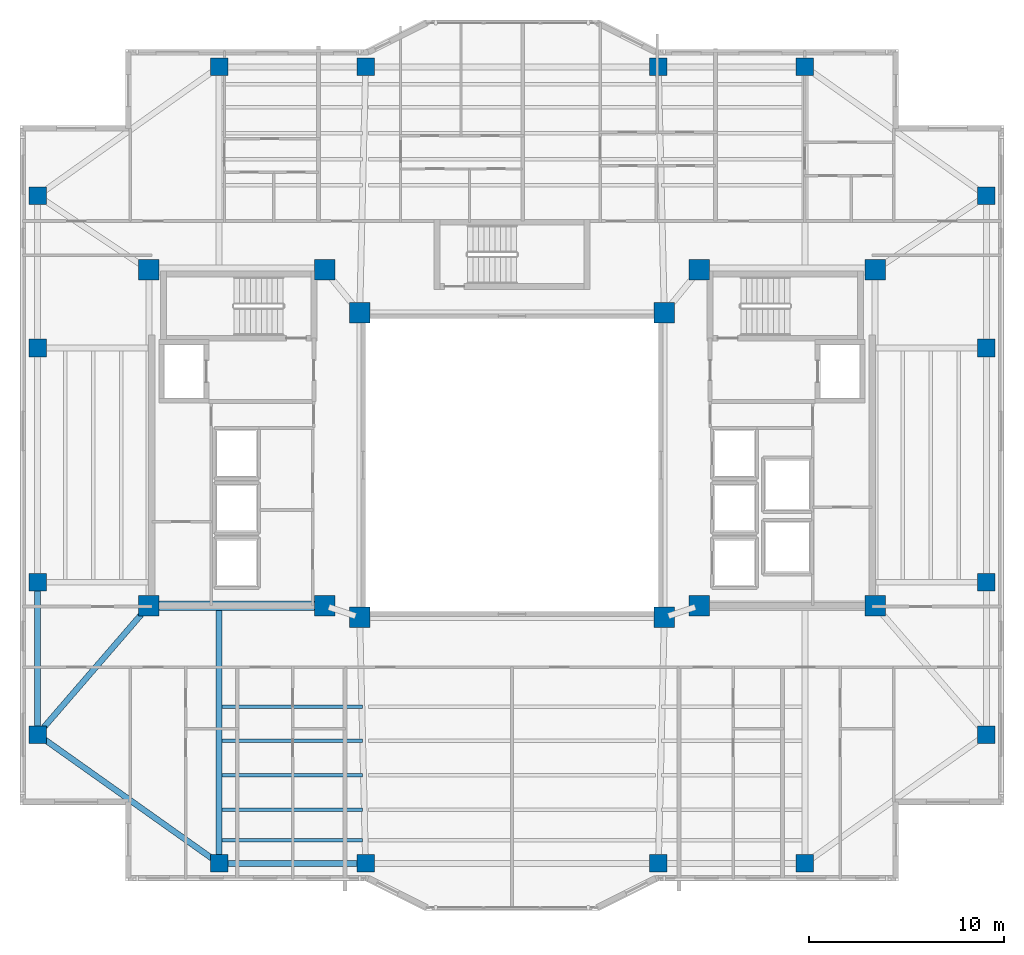
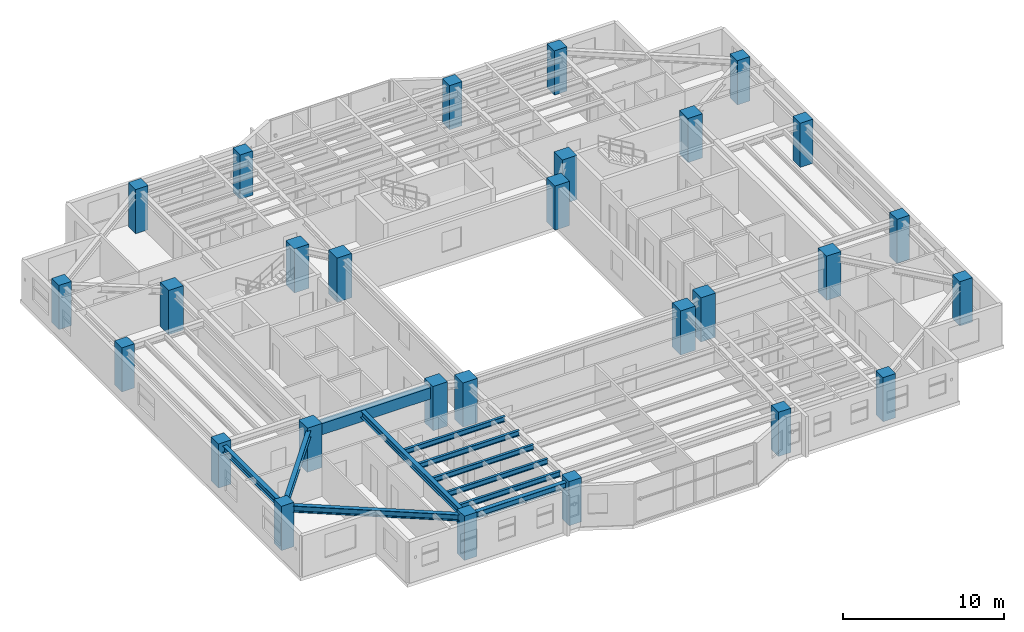
# One storey, part 1 of 16: 28 columns, 11 beams.
"""IFC4 building model written with IfcOpenShell, lengths in metres."""

from ifc_helpers import new_model, si_unit, direction, frame, origin, origin_2d, place, context, subcontext, project, spatial, rectangle, i_section, extrude, material, material_profile, profile_set, type_object, element, save


model = new_model("IFC4")

# Units and contexts
model_context = context("Model", 3, precision=1e-05, world=origin(), true_north=direction((0.0, 1.0)))
body_context = subcontext(model_context, "Body", "Model", "MODEL_VIEW")
ifc_project = project(units=[si_unit("LENGTHUNIT", "METRE"), si_unit("AREAUNIT", "SQUARE_METRE"), si_unit("VOLUMEUNIT", "CUBIC_METRE"), si_unit("PLANEANGLEUNIT", "RADIAN"), si_unit("MASSUNIT", "GRAM", prefix="KILO")], contexts=[model_context])

# Site, building, storey
site_placement = place(None, origin())
site = spatial("IfcSite", under=ifc_project, at=site_placement, CompositionType="ELEMENT")
building_placement = place(site_placement, origin())
building = spatial("IfcBuilding", under=site, at=building_placement, Name="Tarnavaz Court Tower", CompositionType="ELEMENT")
storey_placement = place(building_placement, frame((0.0, 0.0, 152.699951171875)))
storey = spatial("IfcBuildingStorey", under=building, at=storey_placement, Name="L41", CompositionType="ELEMENT", Elevation=152.699951171875)

# Columns
ifc_material_1 = material(Name="Concrete C60/75", Category="concrete")
ifc_material_profile_1 = material_profile(ifc_material_1, rectangle(XDim=1.050048828125, YDim=1.050048828125, at=origin_2d()), Name="RC 1050X1050")
ifc_profile_set_1 = profile_set([ifc_material_profile_1], Name="Concrete C60/75")
column_type_1 = type_object("IfcColumnType", Name="CL-RC1050", PredefinedType="COLUMN", material=ifc_profile_set_1)
for number, where, z_axis, x_axis, name in (
    (1, (-7.800048828125, -7.800048828125, 0.0), (0.0, 0.0, 1.0), (1.0, 0.0, 0.0), "L41 Column IW-SW"),
    (2, (7.800048828125, -7.800048828125, 0.0), (0.0, 0.0, 1.0), (1.0, 0.0, 0.0), "L41 Column IW-SE"),
    (3, (-7.800048828125, 7.800048828125, 0.0), (0.0, 0.0, 1.0), (1.0, 0.0, 0.0), "L41 Column IW-NW"),
    (4, (7.800048828125, 7.800048828125, 0.0), (0.0, 0.0, 1.0), (1.0, 0.0, 0.0), "L41 Column IW-NE"),
    (5, (-9.60009765625, -7.199951171875, 0.0), (0.0, 0.0, 1.0), (1.0, 0.0, 0.0), "L41 Column CW-SI"),
    (6, (-9.60009765625, 10.0, 0.0), (0.0, 0.0, 1.0), (1.0, 0.0, 0.0), "L41 Column CW-NI"),
    (7, (9.60009765625, -7.199951171875, 0.0), (0.0, 0.0, 1.0), (1.0, 0.0, 0.0), "L41 Column CE-SI"),
    (8, (9.60009765625, 10.0, 0.0), (0.0, 0.0, 1.0), (1.0, 0.0, 0.0), "L41 Column CE-NI"),
    (9, (-18.60009765625, -7.199951171875, 0.0), (0.0, 0.0, 1.0), (1.0, 0.0, 0.0), "L41 Column CW-SO"),
    (10, (-18.60009765625, 10.0, 0.0), (0.0, 0.0, 1.0), (1.0, 0.0, 0.0), "L41 Column CW-NO"),
    (11, (18.60009765625, -7.199951171875, 0.0), (0.0, 0.0, 1.0), (1.0, 0.0, 0.0), "L41 Column CE-SO"),
    (12, (18.60009765625, 10.0, 0.0), (0.0, 0.0, 1.0), (1.0, 0.0, 0.0), "L41 Column CE-NO"),
):
    element("IfcColumn", number, at=place(storey_placement, frame(where, z_axis=z_axis, x_axis=x_axis)), inside=storey, type_object=column_type_1, Name=name, PredefinedType="COLUMN", context=body_context, shape_type="SweptSolid", body=[
        extrude(rectangle(XDim=1.050048828125, YDim=1.050048828125, at=origin_2d()), origin(), (0.0, 0.0, 1.0), 3.35009765625),
    ])
ifc_material_2 = material(Name="Concrete C50/60", Category="concrete")
ifc_material_profile_2 = material_profile(ifc_material_2, rectangle(XDim=0.89990234375, YDim=0.89990234375, at=origin_2d()), Name="RC 900X900")
ifc_profile_set_2 = profile_set([ifc_material_profile_2], Name="Concrete C50/60")
column_type_2 = type_object("IfcColumnType", Name="CL-RC900", PredefinedType="COLUMN", material=ifc_profile_set_2)
for number, where, z_axis, x_axis, name in (
    (13, (-15.0, 20.39990234375, 0.0), (0.0, 0.0, 1.0), (1.0, 0.0, 0.0), "L41 Column PN-1"),
    (14, (-7.5, 20.39990234375, 0.0), (0.0, 0.0, 1.0), (1.0, 0.0, 0.0), "L41 Column PN-2"),
    (15, (7.5, 20.39990234375, 0.0), (0.0, 0.0, 1.0), (1.0, 0.0, 0.0), "L41 Column PN-3"),
    (16, (15.0, 20.39990234375, 0.0), (0.0, 0.0, 1.0), (1.0, 0.0, 0.0), "L41 Column PN-4"),
    (17, (-15.0, -20.39990234375, 0.0), (0.0, 0.0, 1.0), (1.0, 0.0, 0.0), "L41 Column PS-1"),
    (18, (-7.5, -20.39990234375, 0.0), (0.0, 0.0, 1.0), (1.0, 0.0, 0.0), "L41 Column PS-2"),
    (19, (7.5, -20.39990234375, 0.0), (0.0, 0.0, 1.0), (1.0, 0.0, 0.0), "L41 Column PS-3"),
    (20, (15.0, -20.39990234375, 0.0), (0.0, 0.0, 1.0), (1.0, 0.0, 0.0), "L41 Column PS-4"),
    (21, (24.300048828125, -13.800048828125, 0.0), (0.0, 0.0, 1.0), (1.0, 0.0, 0.0), "L41 Column PE-1"),
    (22, (24.300048828125, -6.0, 0.0), (0.0, 0.0, 1.0), (1.0, 0.0, 0.0), "L41 Column PE-2"),
    (23, (24.300048828125, 6.0, 0.0), (0.0, 0.0, 1.0), (1.0, 0.0, 0.0), "L41 Column PE-3"),
    (24, (24.300048828125, 13.800048828125, 0.0), (0.0, 0.0, 1.0), (1.0, 0.0, 0.0), "L41 Column PE-4"),
    (25, (-24.300048828125, -13.800048828125, 0.0), (0.0, 0.0, 1.0), (1.0, 0.0, 0.0), "L41 Column PW-1"),
    (26, (-24.300048828125, -6.0, 0.0), (0.0, 0.0, 1.0), (1.0, 0.0, 0.0), "L41 Column PW-2"),
    (27, (-24.300048828125, 6.0, 0.0), (0.0, 0.0, 1.0), (1.0, 0.0, 0.0), "L41 Column PW-3"),
    (28, (-24.300048828125, 13.800048828125, 0.0), (0.0, 0.0, 1.0), (1.0, 0.0, 0.0), "L41 Column PW-4"),
):
    element("IfcColumn", number, at=place(storey_placement, frame(where, z_axis=z_axis, x_axis=x_axis)), inside=storey, type_object=column_type_2, Name=name, PredefinedType="COLUMN", context=body_context, shape_type="SweptSolid", body=[
        extrude(rectangle(XDim=0.89990234375, YDim=0.89990234375, at=origin_2d()), origin(), (0.0, 0.0, 1.0), 3.35009765625),
    ])

# Beams
ifc_material_profile_3 = material_profile(ifc_material_2, rectangle(XDim=0.5, YDim=0.85009765625, at=origin_2d()), Name="RC 500X850")
ifc_profile_set_3 = profile_set([ifc_material_profile_3], Name="Concrete C50/60")
beam_type_1 = type_object("IfcBeamType", Name="BM-CB850", PredefinedType="LINTEL", material=ifc_profile_set_3)
beam_1_placement = place(storey_placement, frame((-18.3798828125, -7.199951171875, 2.675048828125), z_axis=(1.0, 0.0, 0.0), x_axis=(0.0, 1.0, 0.0)))
element("IfcBeam", 29, at=beam_1_placement, inside=storey, type_object=beam_type_1, Name="L41 Beam IN-CW-SO-CW-SI", PredefinedType="LINTEL", context=body_context, shape_type="SweptSolid", body=[
    extrude(rectangle(XDim=0.5, YDim=0.85009765625, at=origin_2d()), origin(), (0.0, 0.0, 1.0), 8.559814453125),
])
ifc_material_3 = material(Name="Steel S355", Category="steel")
ifc_material_profile_4 = material_profile(ifc_material_3, i_section(OverallWidth=0.300048828125, OverallDepth=0.5, WebThickness=0.014404296875, FlangeThickness=0.028076171875, FilletRadius=0.027099609375, at=origin_2d()), Name="HEB 500")
ifc_profile_set_4 = profile_set([ifc_material_profile_4], Name="Steel S355")
beam_type_2 = type_object("IfcBeamType", Name="BM-G-HEB500", PredefinedType="USERDEFINED", material=ifc_profile_set_4)
beam_2_placement = place(storey_placement, frame((-15.0, -7.239990234375, 2.85009765625), z_axis=(0.0, -1.0, 0.0), x_axis=(1.0, 0.0, 0.0)))
element("IfcBeam", 30, at=beam_2_placement, inside=storey, type_object=beam_type_2, Name="L41 Beam RG-05", ObjectType="GIRDER", PredefinedType="USERDEFINED", context=body_context, shape_type="SweptSolid", body=[
    extrude(i_section(OverallWidth=0.300048828125, OverallDepth=0.5, WebThickness=0.014404296875, FlangeThickness=0.028076171875, FilletRadius=0.027099609375, at=origin_2d()), origin(), (0.0, 0.0, 1.0), 12.93994140625),
])
beam_3_placement = place(storey_placement, frame((-18.743896484375, -7.366455078125, 2.85009765625), z_axis=(-0.653610659012, -0.756830962914, 0.0), x_axis=(0.756830962914, -0.653610659012, 0.0)))
element("IfcBeam", 31, at=beam_3_placement, inside=storey, type_object=beam_type_2, Name="L41 Beam RG-15", ObjectType="GIRDER", PredefinedType="USERDEFINED", context=body_context, shape_type="SweptSolid", body=[
    extrude(i_section(OverallWidth=0.300048828125, OverallDepth=0.5, WebThickness=0.014404296875, FlangeThickness=0.028076171875, FilletRadius=0.027099609375, at=origin_2d()), origin(), (0.0, 0.0, 1.0), 8.28076171875),
])
ifc_material_profile_5 = material_profile(ifc_material_3, i_section(OverallWidth=0.179931640625, OverallDepth=0.39990234375, WebThickness=0.008544921875, FlangeThickness=0.013427734375, FilletRadius=0.02099609375, at=origin_2d()), Name="IPE 400")
ifc_profile_set_5 = profile_set([ifc_material_profile_5], Name="Steel S355")
beam_type_3 = type_object("IfcBeamType", Name="BM-J-IPE400", PredefinedType="JOIST", material=ifc_profile_set_5)
for number, where, z_axis, x_axis, name in (
    (32, (-14.85009765625, -12.364013671875, 2.900146484375), (1.0, 0.0, 0.0), (0.0, 1.0, 0.0), "L41 Beam JS1-1"),
    (33, (-14.85009765625, -14.1279296875, 2.900146484375), (1.0, 0.0, 0.0), (0.0, 1.0, 0.0), "L41 Beam JS2-1"),
    (34, (-14.85009765625, -15.89208984375, 2.900146484375), (1.0, 0.0, 0.0), (0.0, 1.0, 0.0), "L41 Beam JS3-1"),
    (35, (-14.85009765625, -17.656005859375, 2.900146484375), (1.0, 0.0, 0.0), (0.0, 1.0, 0.0), "L41 Beam JS4-1"),
    (36, (-14.85009765625, -19.22412109375, 2.900146484375), (1.0, 0.0, 0.0), (0.0, 1.0, 0.0), "L41 Beam JS5-1"),
):
    element("IfcBeam", number, at=place(storey_placement, frame(where, z_axis=z_axis, x_axis=x_axis)), inside=storey, type_object=beam_type_3, Name=name, PredefinedType="JOIST", context=body_context, shape_type="SweptSolid", body=[
        extrude(i_section(OverallWidth=0.179931640625, OverallDepth=0.39990234375, WebThickness=0.008544921875, FlangeThickness=0.013427734375, FilletRadius=0.02099609375, at=origin_2d()), origin(), (0.0, 0.0, 1.0), 7.2001953125),
    ])
ifc_material_profile_6 = material_profile(ifc_material_3, i_section(OverallWidth=0.300048828125, OverallDepth=0.489990234375, WebThickness=0.011962890625, FlangeThickness=0.02294921875, FilletRadius=0.027099609375, at=origin_2d()), Name="HEA 500")
ifc_profile_set_6 = profile_set([ifc_material_profile_6], Name="Steel S355")
beam_type_4 = type_object("IfcBeamType", Name="BM-SP-HEA500", PredefinedType="SPANDREL", material=ifc_profile_set_6)
beam_4_placement = place(storey_placement, frame((-14.780029296875, -20.39990234375, 2.85498046875), z_axis=(1.0, 0.0, 0.0), x_axis=(0.0, 1.0, 0.0)))
element("IfcBeam", 37, at=beam_4_placement, inside=storey, type_object=beam_type_4, Name="L41 Beam PR-PS-1-PS-2", PredefinedType="SPANDREL", context=body_context, shape_type="SweptSolid", body=[
    extrude(i_section(OverallWidth=0.300048828125, OverallDepth=0.489990234375, WebThickness=0.011962890625, FlangeThickness=0.02294921875, FilletRadius=0.027099609375, at=origin_2d()), origin(), (0.0, 0.0, 1.0), 7.06005859375),
])
beam_5_placement = place(storey_placement, frame((-24.300048828125, -13.580078125, 2.85498046875), z_axis=(0.0, 1.0, 0.0), x_axis=(-1.0, 0.0, 0.0)))
element("IfcBeam", 38, at=beam_5_placement, inside=storey, type_object=beam_type_4, Name="L41 Beam PR-PW-1-PW-2", PredefinedType="SPANDREL", context=body_context, shape_type="SweptSolid", body=[
    extrude(i_section(OverallWidth=0.300048828125, OverallDepth=0.489990234375, WebThickness=0.011962890625, FlangeThickness=0.02294921875, FilletRadius=0.027099609375, at=origin_2d()), origin(), (0.0, 0.0, 1.0), 7.360107421875),
])
beam_6_placement = place(storey_placement, frame((-15.179443359375, -20.272705078125, 2.85498046875), z_axis=(-0.815502059396, 0.57875417158, 0.0), x_axis=(-0.57875417158, -0.815502059396, 0.0)))
element("IfcBeam", 39, at=beam_6_placement, inside=storey, type_object=beam_type_4, Name="L41 Beam PR-PS-1-PW-1", PredefinedType="SPANDREL", context=body_context, shape_type="SweptSolid", body=[
    extrude(i_section(OverallWidth=0.300048828125, OverallDepth=0.489990234375, WebThickness=0.011962890625, FlangeThickness=0.02294921875, FilletRadius=0.027099609375, at=origin_2d()), origin(), (0.0, 0.0, 1.0), 10.964111328125),
])

save(model, "model.ifc")
